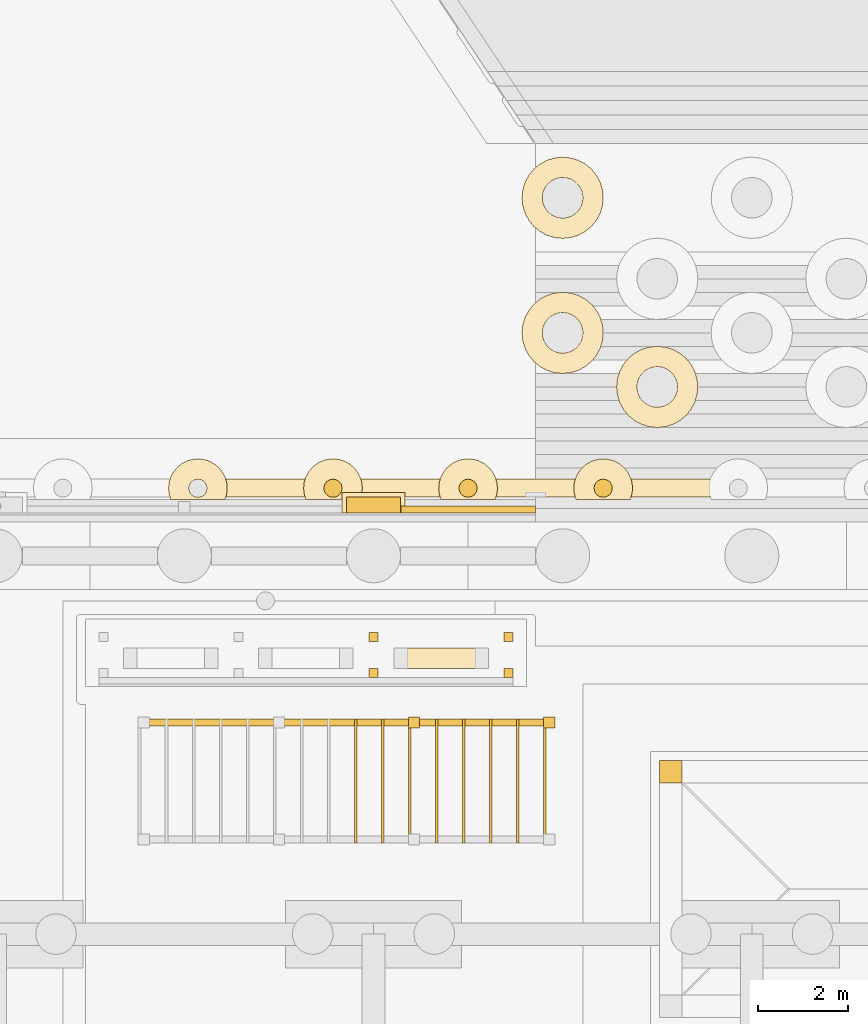
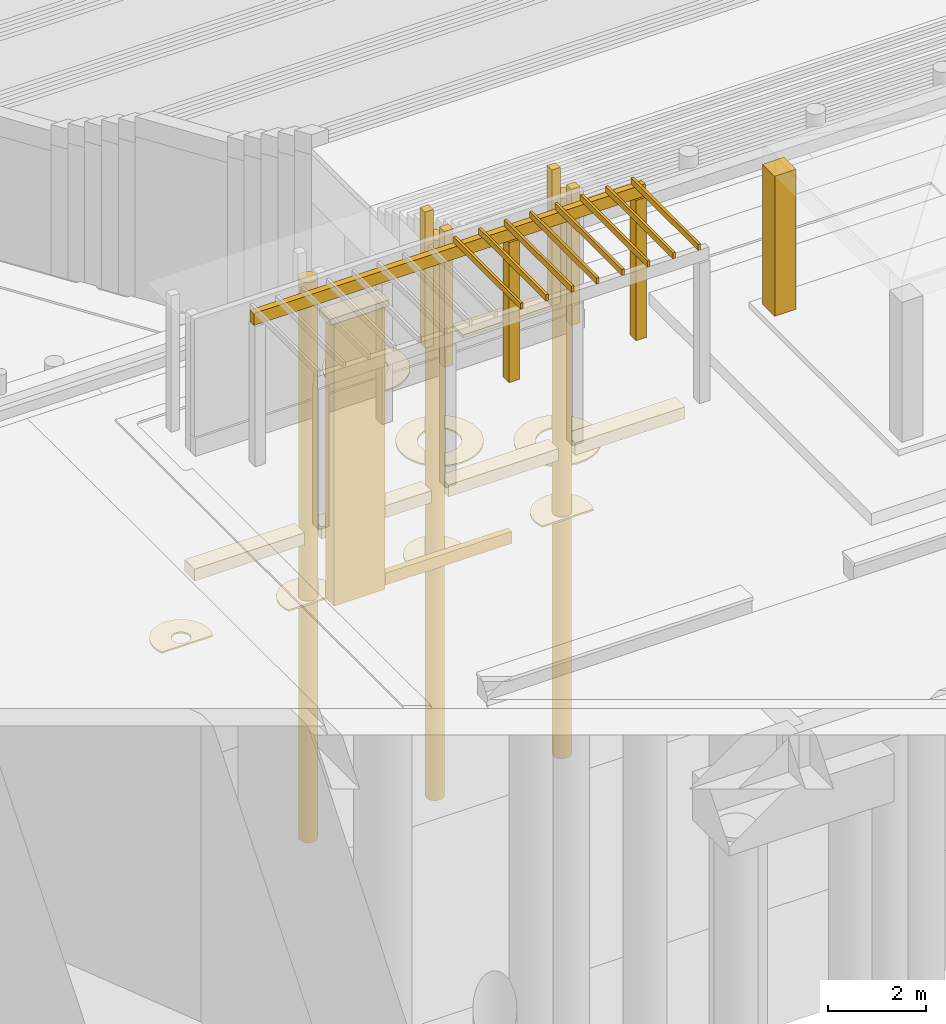
# One storey, part 175 of 222: 34 coverings.
"""IFC4 building model written with IfcOpenShell, lengths in metres."""

from ifc_helpers import new_model, si_unit, direction, frame, origin, origin_2d, place, context, subcontext, project, spatial, polyline, circle, outline, extrude, material, layer, layer_set, type_object, element, save


model = new_model("IFC4")

# Units and contexts
model_context = context("Model", 3, precision=1e-05, world=origin(), true_north=direction((0.0, 1.0)))
body_context = subcontext(model_context, "Body", "Model", "MODEL_VIEW")
ifc_project = project(units=[si_unit("LENGTHUNIT", "METRE"), si_unit("AREAUNIT", "SQUARE_METRE"), si_unit("VOLUMEUNIT", "CUBIC_METRE"), si_unit("PLANEANGLEUNIT", "RADIAN"), si_unit("MASSUNIT", "GRAM", prefix="KILO")], contexts=[model_context])

# Site, building, storey
site_placement = place(None, origin())
site = spatial("IfcSite", under=ifc_project, at=site_placement, CompositionType="ELEMENT")
building_placement = place(site_placement, origin())
building = spatial("IfcBuilding", under=site, at=building_placement, Name="Sava Quay Ferry Terminal", CompositionType="ELEMENT")
storey_placement = place(building_placement, origin())
storey = spatial("IfcBuildingStorey", under=building, at=storey_placement, Name="L00", CompositionType="ELEMENT", Elevation=0.0)

# Coverings
ifc_material_1 = material(Name="Glulam GL28h", Category="wood")
ifc_layer_1 = layer(ifc_material_1, 0.449951171875)
ifc_layer_set_1 = layer_set([ifc_layer_1], Name="Glulam GL28h")
covering_type_1 = type_object("IfcCoveringType", Name="Bench seat 450", PredefinedType="CLADDING", material=ifc_layer_set_1)
covering_1_placement = place(storey_placement, frame((0.0, 0.0, 0.419921875)))
element("IfcCovering", 1, at=covering_1_placement, inside=storey, type_object=covering_type_1, Name="Bench seat", PredefinedType="CLADDING", context=body_context, shape_type="SweptSolid", body=[
    extrude(outline(polyline([(10.949951171875, 115.10009765625), (10.949951171875, 115.550048828125), (8.85009765625, 115.550048828125), (8.85009765625, 115.10009765625), (10.949951171875, 115.10009765625)])), origin(), (0.0, 0.0, 1.0), 0.080078125),
])
ifc_material_2 = material(Name="Greenheart timber", Category="wood")
ifc_layer_2 = layer(ifc_material_2, 0.14990234375)
ifc_layer_set_2 = layer_set([ifc_layer_2], Name="Greenheart timber")
covering_type_2 = type_object("IfcCoveringType", Name="Fender rubbing strip 150", PredefinedType="CLADDING", material=ifc_layer_set_2)
covering_2_placement = place(storey_placement, frame((0.0, 0.0, -7.89990234375)))
element("IfcCovering", 2, at=covering_2_placement, inside=storey, type_object=covering_type_2, Name="Fender rubbing strip", PredefinedType="CLADDING", context=body_context, shape_type="SweptSolid", body=[
    extrude(outline(polyline([(12.0, 118.699951171875), (9.010009765625, 118.699951171875), (9.010009765625, 118.550048828125), (12.0, 118.550048828125), (12.0, 118.699951171875)])), origin(), (0.0, 0.0, 1.0), 0.2998046875),
])
ifc_material_3 = material(Name="Steel S355", Category="steel")
ifc_layer_3 = layer(ifc_material_3, 0.14990234375)
ifc_layer_set_3 = layer_set([ifc_layer_3], Name="Steel S355")
covering_type_3 = type_object("IfcCoveringType", Name="Promenade pergola beam 150x300", PredefinedType="CLADDING", material=ifc_layer_set_3)
covering_3_placement = place(storey_placement, frame((0.0, 0.0, 3.5)))
element("IfcCovering", 3, at=covering_3_placement, inside=storey, type_object=covering_type_3, Name="Promenade pergola beam", PredefinedType="CLADDING", context=body_context, shape_type="SweptSolid", body=[
    extrude(outline(polyline([(12.425048828125, 113.824951171875), (12.425048828125, 113.97509765625), (3.175048828125, 113.97509765625), (3.175048828125, 113.824951171875), (12.425048828125, 113.824951171875)])), origin(), (0.0, 0.0, 1.0), 0.300048828125),
])
ifc_material_4 = material(Name="Steel S355", Category="steel")
ifc_layer_4 = layer(ifc_material_4, 0.25)
ifc_layer_set_4 = layer_set([ifc_layer_4], Name="Steel S355")
covering_type_4 = type_object("IfcCoveringType", Name="Promenade pergola post 250", PredefinedType="CLADDING", material=ifc_layer_set_4)
covering_4_placement = place(storey_placement, origin())
element("IfcCovering", 4, at=covering_4_placement, inside=storey, type_object=covering_type_4, Name="Promenade pergola post", PredefinedType="CLADDING", context=body_context, shape_type="SweptSolid", body=[
    extrude(outline(polyline([(9.425048828125, 113.77490234375), (9.425048828125, 114.02490234375), (9.175048828125, 114.02490234375), (9.175048828125, 113.77490234375), (9.425048828125, 113.77490234375)])), origin(), (0.0, 0.0, 1.0), 3.5),
])
covering_5_placement = place(storey_placement, origin())
element("IfcCovering", 5, at=covering_5_placement, inside=storey, type_object=covering_type_4, Name="Promenade pergola post", PredefinedType="CLADDING", context=body_context, shape_type="SweptSolid", body=[
    extrude(outline(polyline([(12.425048828125, 113.77490234375), (12.425048828125, 114.02490234375), (12.175048828125, 114.02490234375), (12.175048828125, 113.77490234375), (12.425048828125, 113.77490234375)])), origin(), (0.0, 0.0, 1.0), 3.5),
])
ifc_material_5 = material(Name="Glulam GL28h", Category="wood")
ifc_layer_5 = layer(ifc_material_5, 0.06005859375)
ifc_layer_set_5 = layer_set([ifc_layer_5], Name="Glulam GL28h")
covering_type_5 = type_object("IfcCoveringType", Name="Promenade pergola rafter 60x150", PredefinedType="CLADDING", material=ifc_layer_set_5)
covering_6_placement = place(storey_placement, frame((0.0, 0.0, 3.800048828125)))
element("IfcCovering", 6, at=covering_6_placement, inside=storey, type_object=covering_type_5, Name="Promenade pergola rafter", PredefinedType="CLADDING", context=body_context, shape_type="SweptSolid", body=[
    extrude(outline(polyline([(8.034912109375, 111.22509765625), (8.034912109375, 113.97509765625), (7.97509765625, 113.97509765625), (7.97509765625, 111.22509765625), (8.034912109375, 111.22509765625)])), origin(), (0.0, 0.0, 1.0), 0.14990234375),
])
covering_7_placement = place(storey_placement, frame((0.0, 0.0, 3.800048828125)))
element("IfcCovering", 7, at=covering_7_placement, inside=storey, type_object=covering_type_5, Name="Promenade pergola rafter", PredefinedType="CLADDING", context=body_context, shape_type="SweptSolid", body=[
    extrude(outline(polyline([(8.635009765625, 111.22509765625), (8.635009765625, 113.97509765625), (8.574951171875, 113.97509765625), (8.574951171875, 111.22509765625), (8.635009765625, 111.22509765625)])), origin(), (0.0, 0.0, 1.0), 0.14990234375),
])
covering_8_placement = place(storey_placement, frame((0.0, 0.0, 3.800048828125)))
element("IfcCovering", 8, at=covering_8_placement, inside=storey, type_object=covering_type_5, Name="Promenade pergola rafter", PredefinedType="CLADDING", context=body_context, shape_type="SweptSolid", body=[
    extrude(outline(polyline([(9.235107421875, 111.22509765625), (9.235107421875, 113.97509765625), (9.175048828125, 113.97509765625), (9.175048828125, 111.22509765625), (9.235107421875, 111.22509765625)])), origin(), (0.0, 0.0, 1.0), 0.14990234375),
])
covering_9_placement = place(storey_placement, frame((0.0, 0.0, 3.800048828125)))
element("IfcCovering", 9, at=covering_9_placement, inside=storey, type_object=covering_type_5, Name="Promenade pergola rafter", PredefinedType="CLADDING", context=body_context, shape_type="SweptSolid", body=[
    extrude(outline(polyline([(9.8349609375, 111.22509765625), (9.8349609375, 113.97509765625), (9.77490234375, 113.97509765625), (9.77490234375, 111.22509765625), (9.8349609375, 111.22509765625)])), origin(), (0.0, 0.0, 1.0), 0.14990234375),
])
covering_10_placement = place(storey_placement, frame((0.0, 0.0, 3.800048828125)))
element("IfcCovering", 10, at=covering_10_placement, inside=storey, type_object=covering_type_5, Name="Promenade pergola rafter", PredefinedType="CLADDING", context=body_context, shape_type="SweptSolid", body=[
    extrude(outline(polyline([(10.43505859375, 111.22509765625), (10.43505859375, 113.97509765625), (10.375, 113.97509765625), (10.375, 111.22509765625), (10.43505859375, 111.22509765625)])), origin(), (0.0, 0.0, 1.0), 0.14990234375),
])
covering_11_placement = place(storey_placement, frame((0.0, 0.0, 3.800048828125)))
element("IfcCovering", 11, at=covering_11_placement, inside=storey, type_object=covering_type_5, Name="Promenade pergola rafter", PredefinedType="CLADDING", context=body_context, shape_type="SweptSolid", body=[
    extrude(outline(polyline([(11.034912109375, 111.22509765625), (11.034912109375, 113.97509765625), (10.97509765625, 113.97509765625), (10.97509765625, 111.22509765625), (11.034912109375, 111.22509765625)])), origin(), (0.0, 0.0, 1.0), 0.14990234375),
])
covering_12_placement = place(storey_placement, frame((0.0, 0.0, 3.800048828125)))
element("IfcCovering", 12, at=covering_12_placement, inside=storey, type_object=covering_type_5, Name="Promenade pergola rafter", PredefinedType="CLADDING", context=body_context, shape_type="SweptSolid", body=[
    extrude(outline(polyline([(11.635009765625, 111.22509765625), (11.635009765625, 113.97509765625), (11.574951171875, 113.97509765625), (11.574951171875, 111.22509765625), (11.635009765625, 111.22509765625)])), origin(), (0.0, 0.0, 1.0), 0.14990234375),
])
covering_13_placement = place(storey_placement, frame((0.0, 0.0, 3.800048828125)))
element("IfcCovering", 13, at=covering_13_placement, inside=storey, type_object=covering_type_5, Name="Promenade pergola rafter", PredefinedType="CLADDING", context=body_context, shape_type="SweptSolid", body=[
    extrude(outline(polyline([(12.235107421875, 111.22509765625), (12.235107421875, 113.97509765625), (12.175048828125, 113.97509765625), (12.175048828125, 111.22509765625), (12.235107421875, 111.22509765625)])), origin(), (0.0, 0.0, 1.0), 0.14990234375),
])
ifc_material_6 = material(Name="Timber", Category="wood")
ifc_layer_6 = layer(ifc_material_6, 0.39990234375)
ifc_layer_set_6 = layer_set([ifc_layer_6], Name="Timber")
covering_type_6 = type_object("IfcCoveringType", Name="Quay fender pile 400", PredefinedType="CLADDING", material=ifc_layer_set_6)
for number, where, z_axis, x_axis, name in (
    (14, (7.5, 119.10009765625, 0.0), (0.0, 0.0, -1.0), (1.0, 0.0, 0.0), "Quay fender pile"),
    (15, (10.5, 119.10009765625, 0.0), (0.0, 0.0, -1.0), (1.0, 0.0, 0.0), "Quay fender pile"),
    (16, (13.5, 119.10009765625, 0.0), (0.0, 0.0, -1.0), (1.0, 0.0, 0.0), "Quay fender pile"),
):
    element("IfcCovering", number, at=place(storey_placement, frame(where, z_axis=z_axis, x_axis=x_axis)), inside=storey, type_object=covering_type_6, Name=name, PredefinedType="CLADDING", context=body_context, shape_type="SweptSolid", body=[
        extrude(circle(Radius=0.199951171875, at=origin_2d()), origin(), (0.0, 0.0, 1.0), 14.0),
    ])
ifc_material_7 = material(Name="Timber", Category="wood")
ifc_layer_7 = layer(ifc_material_7, 0.39990234375)
ifc_layer_set_7 = layer_set([ifc_layer_7], Name="Timber")
covering_type_7 = type_object("IfcCoveringType", Name="Quay fender waling", PredefinedType="MOLDING", material=ifc_layer_set_7)
covering_14_placement = place(storey_placement, frame((0.0, 0.0, -6.5)))
element("IfcCovering", 17, at=covering_14_placement, inside=storey, type_object=covering_type_7, Name="Quay fender waling", PredefinedType="MOLDING", context=body_context, shape_type="SweptSolid", body=[
    extrude(outline(polyline([(7.300048828125, 118.89990234375), (7.300048828125, 119.300048828125), (4.699951171875, 119.300048828125), (4.699951171875, 118.89990234375), (7.300048828125, 118.89990234375)])), origin(), (0.0, 0.0, 1.0), 0.300048828125),
])
covering_15_placement = place(storey_placement, frame((0.0, 0.0, -6.5)))
element("IfcCovering", 18, at=covering_15_placement, inside=storey, type_object=covering_type_7, Name="Quay fender waling", PredefinedType="MOLDING", context=body_context, shape_type="SweptSolid", body=[
    extrude(outline(polyline([(10.300048828125, 118.89990234375), (10.300048828125, 119.300048828125), (7.699951171875, 119.300048828125), (7.699951171875, 118.89990234375), (10.300048828125, 118.89990234375)])), origin(), (0.0, 0.0, 1.0), 0.300048828125),
])
covering_16_placement = place(storey_placement, frame((0.0, 0.0, -6.5)))
element("IfcCovering", 19, at=covering_16_placement, inside=storey, type_object=covering_type_7, Name="Quay fender waling", PredefinedType="MOLDING", context=body_context, shape_type="SweptSolid", body=[
    extrude(outline(polyline([(13.300048828125, 118.89990234375), (13.300048828125, 119.300048828125), (10.699951171875, 119.300048828125), (10.699951171875, 118.89990234375), (13.300048828125, 118.89990234375)])), origin(), (0.0, 0.0, 1.0), 0.300048828125),
])
covering_17_placement = place(storey_placement, frame((0.0, 0.0, -6.5)))
element("IfcCovering", 20, at=covering_17_placement, inside=storey, type_object=covering_type_7, Name="Quay fender waling", PredefinedType="MOLDING", context=body_context, shape_type="SweptSolid", body=[
    extrude(outline(polyline([(16.300048828125, 118.89990234375), (16.300048828125, 119.300048828125), (13.699951171875, 119.300048828125), (13.699951171875, 118.89990234375), (16.300048828125, 118.89990234375)])), origin(), (0.0, 0.0, 1.0), 0.300048828125),
])
ifc_material_8 = material(Name="Limestone Mutalj", Category="masonry")
ifc_layer_8 = layer(ifc_material_8, 0.449951171875)
ifc_layer_set_8 = layer_set([ifc_layer_8], Name="Limestone Mutalj")
covering_type_8 = type_object("IfcCoveringType", Name="Quay pilaster cap 1400", PredefinedType="MOLDING", material=ifc_layer_set_8)
covering_18_placement = place(storey_placement, frame((0.0, 0.0, -0.949951171875)))
element("IfcCovering", 21, at=covering_18_placement, inside=storey, type_object=covering_type_8, Name="Quay pilaster cap", PredefinedType="MOLDING", context=body_context, shape_type="SweptSolid", body=[
    extrude(outline(polyline([(9.10009765625, 118.550048828125), (9.10009765625, 119.0), (7.699951171875, 119.0), (7.699951171875, 118.550048828125), (9.10009765625, 118.550048828125)])), origin(), (0.0, 0.0, 1.0), 0.14990234375),
])
ifc_material_9 = material(Name="Limestone Mutalj", Category="masonry")
ifc_layer_9 = layer(ifc_material_9, 0.35009765625)
ifc_layer_set_9 = layer_set([ifc_layer_9], Name="Limestone Mutalj")
covering_type_9 = type_object("IfcCoveringType", Name="Quay wall pilaster 1200", PredefinedType="CLADDING", material=ifc_layer_set_9)
covering_19_placement = place(storey_placement, frame((0.0, 0.0, -8.0)))
element("IfcCovering", 22, at=covering_19_placement, inside=storey, type_object=covering_type_9, Name="Quay wall pilaster", PredefinedType="CLADDING", context=body_context, shape_type="SweptSolid", body=[
    extrude(outline(polyline([(9.0, 118.550048828125), (9.0, 118.89990234375), (7.800048828125, 118.89990234375), (7.800048828125, 118.550048828125), (9.0, 118.550048828125)])), origin(), (0.0, 0.0, 1.0), 7.050048828125),
])
ifc_material_10 = material(Name="Water")
ifc_layer_10 = layer(ifc_material_10, 0.0400390625)
ifc_layer_set_10 = layer_set([ifc_layer_10], Name="Water")
covering_type_10 = type_object("IfcCoveringType", Name="River foam collar", PredefinedType="CLADDING", material=ifc_layer_set_10)
covering_20_placement = place(storey_placement, frame((0.0, 0.0, -8.0)))
element("IfcCovering", 23, at=covering_20_placement, inside=storey, type_object=covering_type_10, Name="River foam collar", PredefinedType="CLADDING", context=body_context, shape_type="SweptSolid", body=[
    extrude(outline(polyline([(13.81494140625, 121.52587890625), (13.798095703125, 121.35009765625), (13.81494140625, 121.174072265625), (13.865966796875, 121.0048828125), (13.949951171875, 120.84912109375), (14.06201171875, 120.7119140625), (14.198974609375, 120.60009765625), (14.35498046875, 120.51611328125), (14.52392578125, 120.465087890625), (14.699951171875, 120.447998046875), (14.8759765625, 120.465087890625), (15.044921875, 120.51611328125), (15.200927734375, 120.60009765625), (15.337890625, 120.7119140625), (15.449951171875, 120.84912109375), (15.533935546875, 121.0048828125), (15.5849609375, 121.174072265625), (15.60205078125, 121.35009765625), (15.5849609375, 121.52587890625), (15.533935546875, 121.695068359375), (15.449951171875, 121.85107421875), (15.337890625, 121.988037109375), (15.200927734375, 122.10009765625), (15.044921875, 122.18408203125), (14.8759765625, 122.235107421875), (14.699951171875, 122.251953125), (14.52392578125, 122.235107421875), (14.35498046875, 122.18408203125), (14.198974609375, 122.10009765625), (14.06201171875, 121.988037109375), (13.949951171875, 121.85107421875), (13.865966796875, 121.695068359375), (13.81494140625, 121.52587890625)]), holes=[polyline([(14.259033203125, 121.261962890625), (14.25, 121.35009765625), (14.259033203125, 121.43798828125), (14.283935546875, 121.52197265625), (14.325927734375, 121.60009765625), (14.382080078125, 121.66796875), (14.449951171875, 121.72412109375), (14.528076171875, 121.76611328125), (14.612060546875, 121.791015625), (14.699951171875, 121.800048828125), (14.7880859375, 121.791015625), (14.8720703125, 121.76611328125), (14.949951171875, 121.72412109375), (15.01806640625, 121.66796875), (15.073974609375, 121.60009765625), (15.115966796875, 121.52197265625), (15.14111328125, 121.43798828125), (15.14990234375, 121.35009765625), (15.14111328125, 121.261962890625), (15.115966796875, 121.177978515625), (15.073974609375, 121.10009765625), (15.01806640625, 121.031982421875), (14.949951171875, 120.97607421875), (14.8720703125, 120.93408203125), (14.7880859375, 120.908935546875), (14.699951171875, 120.89990234375), (14.612060546875, 120.908935546875), (14.528076171875, 120.93408203125), (14.449951171875, 120.97607421875), (14.382080078125, 121.031982421875), (14.325927734375, 121.10009765625), (14.283935546875, 121.177978515625), (14.259033203125, 121.261962890625)])]), origin(), (0.0, 0.0, 1.0), 0.0400390625),
])
covering_21_placement = place(storey_placement, frame((0.0, 0.0, -8.0)))
element("IfcCovering", 24, at=covering_21_placement, inside=storey, type_object=covering_type_10, Name="River foam collar", PredefinedType="CLADDING", context=body_context, shape_type="SweptSolid", body=[
    extrude(outline(polyline([(12.424072265625, 123.43505859375), (12.2548828125, 123.384033203125), (12.09912109375, 123.300048828125), (11.9619140625, 123.18798828125), (11.85009765625, 123.051025390625), (11.76611328125, 122.89501953125), (11.715087890625, 122.72607421875), (11.697998046875, 122.550048828125), (11.715087890625, 122.3740234375), (11.76611328125, 122.205078125), (11.85009765625, 122.049072265625), (11.9619140625, 121.912109375), (12.09912109375, 121.800048828125), (12.2548828125, 121.716064453125), (12.424072265625, 121.6650390625), (12.60009765625, 121.64794921875), (12.77587890625, 121.6650390625), (12.945068359375, 121.716064453125), (13.10107421875, 121.800048828125), (13.238037109375, 121.912109375), (13.35009765625, 122.049072265625), (13.43408203125, 122.205078125), (13.485107421875, 122.3740234375), (13.501953125, 122.550048828125), (13.485107421875, 122.72607421875), (13.43408203125, 122.89501953125), (13.35009765625, 123.051025390625), (13.238037109375, 123.18798828125), (13.10107421875, 123.300048828125), (12.945068359375, 123.384033203125), (12.77587890625, 123.43505859375), (12.60009765625, 123.451904296875), (12.424072265625, 123.43505859375)]), holes=[polyline([(12.511962890625, 122.10888671875), (12.427978515625, 122.134033203125), (12.35009765625, 122.176025390625), (12.281982421875, 122.23193359375), (12.22607421875, 122.300048828125), (12.18408203125, 122.3779296875), (12.158935546875, 122.4619140625), (12.14990234375, 122.550048828125), (12.158935546875, 122.637939453125), (12.18408203125, 122.721923828125), (12.22607421875, 122.800048828125), (12.281982421875, 122.867919921875), (12.35009765625, 122.924072265625), (12.427978515625, 122.966064453125), (12.511962890625, 122.990966796875), (12.60009765625, 123.0), (12.68798828125, 122.990966796875), (12.77197265625, 122.966064453125), (12.85009765625, 122.924072265625), (12.91796875, 122.867919921875), (12.97412109375, 122.800048828125), (13.01611328125, 122.721923828125), (13.041015625, 122.637939453125), (13.050048828125, 122.550048828125), (13.041015625, 122.4619140625), (13.01611328125, 122.3779296875), (12.97412109375, 122.300048828125), (12.91796875, 122.23193359375), (12.85009765625, 122.176025390625), (12.77197265625, 122.134033203125), (12.68798828125, 122.10888671875), (12.60009765625, 122.10009765625), (12.511962890625, 122.10888671875)])]), origin(), (0.0, 0.0, 1.0), 0.0400390625),
])
covering_22_placement = place(storey_placement, frame((0.0, 0.0, -8.0)))
element("IfcCovering", 25, at=covering_22_placement, inside=storey, type_object=covering_type_10, Name="River foam collar", PredefinedType="CLADDING", context=body_context, shape_type="SweptSolid", body=[
    extrude(outline(polyline([(13.238037109375, 124.912109375), (13.35009765625, 125.049072265625), (13.43408203125, 125.205078125), (13.485107421875, 125.3740234375), (13.501953125, 125.550048828125), (13.485107421875, 125.72607421875), (13.43408203125, 125.89501953125), (13.35009765625, 126.051025390625), (13.238037109375, 126.18798828125), (13.10107421875, 126.300048828125), (12.945068359375, 126.384033203125), (12.77587890625, 126.43505859375), (12.60009765625, 126.451904296875), (12.424072265625, 126.43505859375), (12.2548828125, 126.384033203125), (12.09912109375, 126.300048828125), (11.9619140625, 126.18798828125), (11.85009765625, 126.051025390625), (11.76611328125, 125.89501953125), (11.715087890625, 125.72607421875), (11.697998046875, 125.550048828125), (11.715087890625, 125.3740234375), (11.76611328125, 125.205078125), (11.85009765625, 125.049072265625), (11.9619140625, 124.912109375), (12.09912109375, 124.800048828125), (12.2548828125, 124.716064453125), (12.424072265625, 124.6650390625), (12.60009765625, 124.64794921875), (12.77587890625, 124.6650390625), (12.945068359375, 124.716064453125), (13.10107421875, 124.800048828125), (13.238037109375, 124.912109375)]), holes=[polyline([(12.91796875, 125.867919921875), (12.97412109375, 125.800048828125), (13.01611328125, 125.721923828125), (13.041015625, 125.637939453125), (13.050048828125, 125.550048828125), (13.041015625, 125.4619140625), (13.01611328125, 125.3779296875), (12.97412109375, 125.300048828125), (12.91796875, 125.23193359375), (12.85009765625, 125.176025390625), (12.77197265625, 125.134033203125), (12.68798828125, 125.10888671875), (12.60009765625, 125.10009765625), (12.511962890625, 125.10888671875), (12.427978515625, 125.134033203125), (12.35009765625, 125.176025390625), (12.281982421875, 125.23193359375), (12.22607421875, 125.300048828125), (12.18408203125, 125.3779296875), (12.158935546875, 125.4619140625), (12.14990234375, 125.550048828125), (12.158935546875, 125.637939453125), (12.18408203125, 125.721923828125), (12.22607421875, 125.800048828125), (12.281982421875, 125.867919921875), (12.35009765625, 125.924072265625), (12.427978515625, 125.966064453125), (12.511962890625, 125.990966796875), (12.60009765625, 126.0), (12.68798828125, 125.990966796875), (12.77197265625, 125.966064453125), (12.85009765625, 125.924072265625), (12.91796875, 125.867919921875)])]), origin(), (0.0, 0.0, 1.0), 0.0400390625),
])
covering_23_placement = place(storey_placement, frame((0.0, 0.0, -8.0)))
element("IfcCovering", 26, at=covering_23_placement, inside=storey, type_object=covering_type_10, Name="River foam collar", PredefinedType="CLADDING", context=body_context, shape_type="SweptSolid", body=[
    extrude(outline(polyline([(3.89794921875, 118.85009765625), (5.10205078125, 118.85009765625), (5.139892578125, 118.972900390625), (5.152099609375, 119.10009765625), (5.139892578125, 119.22705078125), (5.10302734375, 119.35009765625), (5.0419921875, 119.4619140625), (4.9609375, 119.56103515625), (4.862060546875, 119.64208984375), (4.75, 119.702880859375), (4.626953125, 119.739990234375), (4.5, 119.751953125), (4.373046875, 119.739990234375), (4.25, 119.702880859375), (4.137939453125, 119.64208984375), (4.0390625, 119.56103515625), (3.9580078125, 119.4619140625), (3.89697265625, 119.35009765625), (3.860107421875, 119.22705078125), (3.847900390625, 119.10009765625), (3.860107421875, 118.972900390625), (3.89794921875, 118.85009765625)]), holes=[polyline([(4.699951171875, 119.10009765625), (4.696044921875, 119.06103515625), (4.68505859375, 119.02294921875), (4.666015625, 118.989013671875), (4.64111328125, 118.958984375), (4.611083984375, 118.93408203125), (4.576904296875, 118.9150390625), (4.5390625, 118.904052734375), (4.5, 118.89990234375), (4.4609375, 118.904052734375), (4.423095703125, 118.9150390625), (4.388916015625, 118.93408203125), (4.35888671875, 118.958984375), (4.333984375, 118.989013671875), (4.31494140625, 119.02294921875), (4.303955078125, 119.06103515625), (4.300048828125, 119.10009765625), (4.303955078125, 119.138916015625), (4.31494140625, 119.177001953125), (4.333984375, 119.2109375), (4.35888671875, 119.240966796875), (4.388916015625, 119.26611328125), (4.423095703125, 119.284912109375), (4.4609375, 119.2958984375), (4.5, 119.300048828125), (4.5390625, 119.2958984375), (4.576904296875, 119.284912109375), (4.611083984375, 119.26611328125), (4.64111328125, 119.240966796875), (4.666015625, 119.2109375), (4.68505859375, 119.177001953125), (4.696044921875, 119.138916015625), (4.699951171875, 119.10009765625)])]), origin(), (0.0, 0.0, 1.0), 0.0400390625),
])
covering_24_placement = place(storey_placement, frame((0.0, 0.0, -8.0)))
element("IfcCovering", 27, at=covering_24_placement, inside=storey, type_object=covering_type_10, Name="River foam collar", PredefinedType="CLADDING", context=body_context, shape_type="SweptSolid", body=[
    extrude(outline(polyline([(7.800048828125, 118.89990234375), (8.117919921875, 118.89990234375), (8.139892578125, 118.972900390625), (8.152099609375, 119.10009765625), (8.139892578125, 119.22705078125), (8.10302734375, 119.35009765625), (8.0419921875, 119.4619140625), (7.9609375, 119.56103515625), (7.862060546875, 119.64208984375), (7.75, 119.702880859375), (7.626953125, 119.739990234375), (7.5, 119.751953125), (7.373046875, 119.739990234375), (7.25, 119.702880859375), (7.137939453125, 119.64208984375), (7.0390625, 119.56103515625), (6.9580078125, 119.4619140625), (6.89697265625, 119.35009765625), (6.860107421875, 119.22705078125), (6.847900390625, 119.10009765625), (6.860107421875, 118.972900390625), (6.89794921875, 118.85009765625), (7.800048828125, 118.85009765625), (7.800048828125, 118.89990234375)]), holes=[polyline([(7.696044921875, 119.138916015625), (7.699951171875, 119.10009765625), (7.696044921875, 119.06103515625), (7.68505859375, 119.02294921875), (7.666015625, 118.989013671875), (7.64111328125, 118.958984375), (7.611083984375, 118.93408203125), (7.576904296875, 118.9150390625), (7.5390625, 118.904052734375), (7.5, 118.89990234375), (7.4609375, 118.904052734375), (7.423095703125, 118.9150390625), (7.388916015625, 118.93408203125), (7.35888671875, 118.958984375), (7.333984375, 118.989013671875), (7.31494140625, 119.02294921875), (7.303955078125, 119.06103515625), (7.300048828125, 119.10009765625), (7.303955078125, 119.138916015625), (7.31494140625, 119.177001953125), (7.333984375, 119.2109375), (7.35888671875, 119.240966796875), (7.388916015625, 119.26611328125), (7.423095703125, 119.284912109375), (7.4609375, 119.2958984375), (7.5, 119.300048828125), (7.5390625, 119.2958984375), (7.576904296875, 119.284912109375), (7.611083984375, 119.26611328125), (7.64111328125, 119.240966796875), (7.666015625, 119.2109375), (7.68505859375, 119.177001953125), (7.696044921875, 119.138916015625)])]), origin(), (0.0, 0.0, 1.0), 0.0400390625),
])
covering_25_placement = place(storey_placement, frame((0.0, 0.0, -8.0)))
element("IfcCovering", 28, at=covering_25_placement, inside=storey, type_object=covering_type_10, Name="River foam collar", PredefinedType="CLADDING", context=body_context, shape_type="SweptSolid", body=[
    extrude(outline(polyline([(9.860107421875, 118.972900390625), (9.89794921875, 118.85009765625), (11.10205078125, 118.85009765625), (11.139892578125, 118.972900390625), (11.152099609375, 119.10009765625), (11.139892578125, 119.22705078125), (11.10302734375, 119.35009765625), (11.0419921875, 119.4619140625), (10.9609375, 119.56103515625), (10.862060546875, 119.64208984375), (10.75, 119.702880859375), (10.626953125, 119.739990234375), (10.5, 119.751953125), (10.373046875, 119.739990234375), (10.25, 119.702880859375), (10.137939453125, 119.64208984375), (10.0390625, 119.56103515625), (9.9580078125, 119.4619140625), (9.89697265625, 119.35009765625), (9.860107421875, 119.22705078125), (9.847900390625, 119.10009765625), (9.860107421875, 118.972900390625)]), holes=[polyline([(10.68505859375, 119.177001953125), (10.696044921875, 119.138916015625), (10.699951171875, 119.10009765625), (10.696044921875, 119.06103515625), (10.68505859375, 119.02294921875), (10.666015625, 118.989013671875), (10.64111328125, 118.958984375), (10.611083984375, 118.93408203125), (10.576904296875, 118.9150390625), (10.5390625, 118.904052734375), (10.5, 118.89990234375), (10.4609375, 118.904052734375), (10.423095703125, 118.9150390625), (10.388916015625, 118.93408203125), (10.35888671875, 118.958984375), (10.333984375, 118.989013671875), (10.31494140625, 119.02294921875), (10.303955078125, 119.06103515625), (10.300048828125, 119.10009765625), (10.303955078125, 119.138916015625), (10.31494140625, 119.177001953125), (10.333984375, 119.2109375), (10.35888671875, 119.240966796875), (10.388916015625, 119.26611328125), (10.423095703125, 119.284912109375), (10.4609375, 119.2958984375), (10.5, 119.300048828125), (10.5390625, 119.2958984375), (10.576904296875, 119.284912109375), (10.611083984375, 119.26611328125), (10.64111328125, 119.240966796875), (10.666015625, 119.2109375), (10.68505859375, 119.177001953125)])]), origin(), (0.0, 0.0, 1.0), 0.0400390625),
])
covering_26_placement = place(storey_placement, frame((0.0, 0.0, -8.0)))
element("IfcCovering", 29, at=covering_26_placement, inside=storey, type_object=covering_type_10, Name="River foam collar", PredefinedType="CLADDING", context=body_context, shape_type="SweptSolid", body=[
    extrude(outline(polyline([(12.847900390625, 119.10009765625), (12.860107421875, 118.972900390625), (12.89794921875, 118.85009765625), (14.10205078125, 118.85009765625), (14.139892578125, 118.972900390625), (14.152099609375, 119.10009765625), (14.139892578125, 119.22705078125), (14.10302734375, 119.35009765625), (14.0419921875, 119.4619140625), (13.9609375, 119.56103515625), (13.862060546875, 119.64208984375), (13.75, 119.702880859375), (13.626953125, 119.739990234375), (13.5, 119.751953125), (13.373046875, 119.739990234375), (13.25, 119.702880859375), (13.137939453125, 119.64208984375), (13.0390625, 119.56103515625), (12.9580078125, 119.4619140625), (12.89697265625, 119.35009765625), (12.860107421875, 119.22705078125), (12.847900390625, 119.10009765625)]), holes=[polyline([(13.666015625, 119.2109375), (13.68505859375, 119.177001953125), (13.696044921875, 119.138916015625), (13.699951171875, 119.10009765625), (13.696044921875, 119.06103515625), (13.68505859375, 119.02294921875), (13.666015625, 118.989013671875), (13.64111328125, 118.958984375), (13.611083984375, 118.93408203125), (13.576904296875, 118.9150390625), (13.5390625, 118.904052734375), (13.5, 118.89990234375), (13.4609375, 118.904052734375), (13.423095703125, 118.9150390625), (13.388916015625, 118.93408203125), (13.35888671875, 118.958984375), (13.333984375, 118.989013671875), (13.31494140625, 119.02294921875), (13.303955078125, 119.06103515625), (13.300048828125, 119.10009765625), (13.303955078125, 119.138916015625), (13.31494140625, 119.177001953125), (13.333984375, 119.2109375), (13.35888671875, 119.240966796875), (13.388916015625, 119.26611328125), (13.423095703125, 119.284912109375), (13.4609375, 119.2958984375), (13.5, 119.300048828125), (13.5390625, 119.2958984375), (13.576904296875, 119.284912109375), (13.611083984375, 119.26611328125), (13.64111328125, 119.240966796875), (13.666015625, 119.2109375)])]), origin(), (0.0, 0.0, 1.0), 0.0400390625),
])
ifc_material_11 = material(Name="Limestone Mutalj", Category="masonry")
ifc_layer_11 = layer(ifc_material_11, 0.5)
ifc_layer_set_11 = layer_set([ifc_layer_11], Name="Limestone Mutalj")
covering_type_11 = type_object("IfcCoveringType", Name="Terrace pavilion pier 500", PredefinedType="CLADDING", material=ifc_layer_set_11)
covering_27_placement = place(storey_placement, frame((0.0, 0.0, 0.449951171875)))
element("IfcCovering", 30, at=covering_27_placement, inside=storey, type_object=covering_type_11, Name="Pavilion pier", PredefinedType="CLADDING", context=body_context, shape_type="SweptSolid", body=[
    extrude(outline(polyline([(15.25, 112.550048828125), (15.25, 113.050048828125), (14.75, 113.050048828125), (14.75, 112.550048828125), (15.25, 112.550048828125)])), origin(), (0.0, 0.0, 1.0), 3.5),
])
ifc_material_12 = material(Name="Steel S355", Category="steel")
ifc_layer_12 = layer(ifc_material_12, 0.199951171875)
ifc_layer_set_12 = layer_set([ifc_layer_12], Name="Steel S355")
covering_type_12 = type_object("IfcCoveringType", Name="Waiting shelter column 200", PredefinedType="CLADDING", material=ifc_layer_set_12)
covering_28_placement = place(storey_placement, origin())
element("IfcCovering", 31, at=covering_28_placement, inside=storey, type_object=covering_type_12, Name="Waiting shelter column", PredefinedType="CLADDING", context=body_context, shape_type="SweptSolid", body=[
    extrude(outline(polyline([(8.5, 114.89990234375), (8.5, 115.10009765625), (8.300048828125, 115.10009765625), (8.300048828125, 114.89990234375), (8.5, 114.89990234375)])), origin(), (0.0, 0.0, 1.0), 3.39990234375),
])
covering_29_placement = place(storey_placement, origin())
element("IfcCovering", 32, at=covering_29_placement, inside=storey, type_object=covering_type_12, Name="Waiting shelter column", PredefinedType="CLADDING", context=body_context, shape_type="SweptSolid", body=[
    extrude(outline(polyline([(8.5, 115.699951171875), (8.5, 115.89990234375), (8.300048828125, 115.89990234375), (8.300048828125, 115.699951171875), (8.5, 115.699951171875)])), origin(), (0.0, 0.0, 1.0), 3.39990234375),
])
covering_30_placement = place(storey_placement, origin())
element("IfcCovering", 33, at=covering_30_placement, inside=storey, type_object=covering_type_12, Name="Waiting shelter column", PredefinedType="CLADDING", context=body_context, shape_type="SweptSolid", body=[
    extrude(outline(polyline([(11.5, 114.89990234375), (11.5, 115.10009765625), (11.300048828125, 115.10009765625), (11.300048828125, 114.89990234375), (11.5, 114.89990234375)])), origin(), (0.0, 0.0, 1.0), 3.39990234375),
])
covering_31_placement = place(storey_placement, origin())
element("IfcCovering", 34, at=covering_31_placement, inside=storey, type_object=covering_type_12, Name="Waiting shelter column", PredefinedType="CLADDING", context=body_context, shape_type="SweptSolid", body=[
    extrude(outline(polyline([(11.5, 115.699951171875), (11.5, 115.89990234375), (11.300048828125, 115.89990234375), (11.300048828125, 115.699951171875), (11.5, 115.699951171875)])), origin(), (0.0, 0.0, 1.0), 3.39990234375),
])

save(model, "model.ifc")
